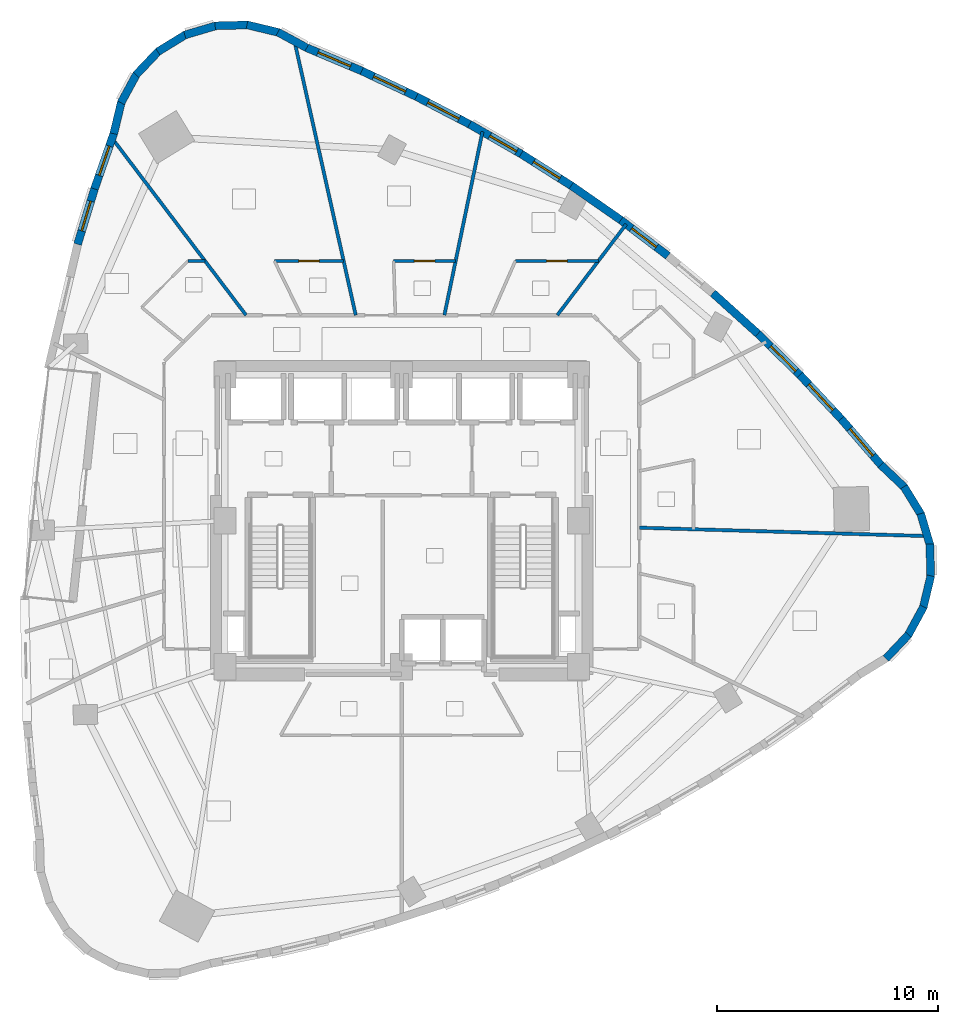
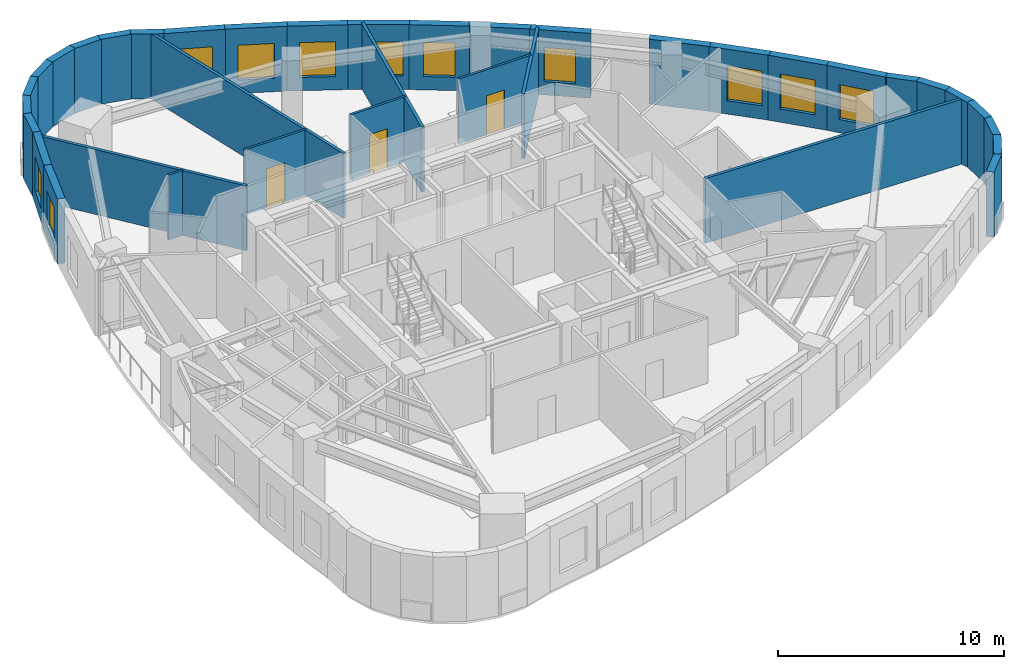
# One storey, part 8 of 12: 37 walls, 11 windows, 3 doors, 14 openings.
"""IFC4 building model written with IfcOpenShell, lengths in metres."""

from ifc_helpers import new_model, si_unit, direction, frame, frame_2d, origin, place, context, subcontext, project, spatial, rectangle, extrude, material, layer, layer_set, type_object, element, fill, save


model = new_model("IFC4")

# Units and contexts
model_context = context("Model", 3, precision=1e-05, world=origin(), true_north=direction((0.0, 1.0)))
body_context = subcontext(model_context, "Body", "Model", "MODEL_VIEW")
ifc_project = project(units=[si_unit("LENGTHUNIT", "METRE"), si_unit("AREAUNIT", "SQUARE_METRE"), si_unit("VOLUMEUNIT", "CUBIC_METRE"), si_unit("PLANEANGLEUNIT", "RADIAN"), si_unit("MASSUNIT", "GRAM", prefix="KILO")], contexts=[model_context])

# Site, building, storey
site_placement = place(None, origin())
site = spatial("IfcSite", under=ifc_project, at=site_placement, CompositionType="ELEMENT")
building_placement = place(site_placement, origin())
building = spatial("IfcBuilding", under=site, at=building_placement, Name="Ndelora Gate Hotel", CompositionType="ELEMENT")
storey_placement = place(building_placement, frame((0.0, 0.0, 101.0)))
storey = spatial("IfcBuildingStorey", under=building, at=storey_placement, Name="L24", CompositionType="ELEMENT", Elevation=101.0)

# Walls
ifc_material_1 = material(Name="Clay Brick Masonry", Category="masonry")
ifc_layer_1 = layer(ifc_material_1, 0.360107421875)
ifc_layer_set_1 = layer_set([ifc_layer_1], Name="Clay Brick Masonry")
wall_type_1 = type_object("IfcWallType", Name="WL-BRICK-360", PredefinedType="SOLIDWALL", material=ifc_layer_set_1)
for number, where, z_axis, x_axis, name in (
    (1, (-5.60009765625, 22.102294921875, 0.0), (0.0, 0.0, 1.0), (0.878835716595, -0.477124494484, 0.0), "L24 Tower Brick Pier-and-Spandrel Wall TWR-1"),
    (2, (-6.99853515625, 22.431396484375, 0.0), (0.0, 0.0, 1.0), (0.972399232605, -0.233323235941, 0.0), "L24 Tower Brick Pier-and-Spandrel Wall TWR-2"),
    (3, (-8.4345703125, 22.38720703125, 0.0), (0.0, 0.0, 1.0), (0.999654374037, 0.026289398397, 0.0), "L24 Tower Brick Pier-and-Spandrel Wall TWR-3"),
    (4, (-9.810302734375, 21.97314453125, 0.0), (0.0, 0.0, 1.0), (0.958851135896, 0.283909315084, 0.0), "L24 Tower Brick Pier-and-Spandrel Wall TWR-4"),
    (5, (-11.03173828125, 21.216796875, 0.0), (0.0, 0.0, 1.0), (0.852554021927, 0.522639110378, 0.0), "L24 Tower Brick Pier-and-Spandrel Wall TWR-5"),
    (6, (-12.01611328125, 20.17041015625, 0.0), (0.0, 0.0, 1.0), (0.688464400899, 0.725270134981, 0.0), "L24 Tower Brick Pier-and-Spandrel Wall TWR-6"),
    (7, (-12.69580078125, 18.90478515625, 0.0), (0.0, 0.0, 1.0), (0.477193395873, 0.878798306174, 0.0), "L24 Tower Brick Pier-and-Spandrel Wall TWR-7"),
):
    element("IfcWall", number, at=place(storey_placement, frame(where, z_axis=z_axis, x_axis=x_axis)), inside=storey, type_object=wall_type_1, Name=name, PredefinedType="SOLIDWALL", context=body_context, shape_type="SweptSolid", body=[
        extrude(rectangle(XDim=1.48583984375, YDim=0.360107421875, at=frame_2d((0.742919921875, 0.0))), origin(), (0.0, 0.0, 1.0), 3.5),
    ])
wall_1_placement = place(storey_placement, frame((-13.02490234375, 17.50634765625, 0.0), z_axis=(0.0, 0.0, 1.0), x_axis=(0.23351590147, 0.972352983109, 0.0)))
element("IfcWall", 8, at=wall_1_placement, inside=storey, type_object=wall_type_1, Name="L24 Tower Brick Pier-and-Spandrel Wall TWR-8", PredefinedType="SOLIDWALL", context=body_context, shape_type="SweptSolid", body=[
    extrude(rectangle(XDim=1.485595703125, YDim=0.360107421875, at=frame_2d((0.74267578125, 0.0))), origin(), (0.0, 0.0, 1.0), 3.5),
])

# Wall, opening, window
wall_2_placement = place(storey_placement, frame((-13.896240234375, 15.012451171875, 0.0), z_axis=(0.0, 0.0, 1.0), x_axis=(0.328988489893, 0.944333931148, 0.0)))
wall_2 = element("IfcWall", 9, at=wall_2_placement, inside=storey, type_object=wall_type_1, Name="L24 Tower Brick Pier-and-Spandrel Wall TWR-9", PredefinedType="SOLIDWALL", context=body_context, shape_type="SweptSolid", body=[
    extrude(rectangle(XDim=2.691650390625, YDim=0.360107421875, at=frame_2d((1.345703125, 0.0))), origin(), (0.0, 0.0, 1.0), 3.5),
])
opening_1_placement = place(wall_2_placement, frame((0.645751953125, 0.0, 0.719970703125)))
opening_1 = element("IfcOpeningElement", 10, at=opening_1_placement, cuts=wall_2, Name="Opening W02", PredefinedType="OPENING", context=body_context, shape_type="SweptSolid", body=[
    extrude(rectangle(XDim=1.39990234375, YDim=1.840087890625, at=frame_2d((0.699951171875, 0.919921875))), frame((0.0, 0.18994140625, 0.0), z_axis=(0.0, -1.0, 0.0), x_axis=(1.0, 0.0, 0.0)), (0.0, 0.0, 1.0), 0.380126953125),
])
ifc_material_2 = material(Name="Insulated Low-E Double Glazing in Bronze Aluminium Frame", Category="aluminium")
window_type_1 = type_object("IfcWindowType", Name="WN-DEEP-1400", PartitioningType="SINGLE_PANEL", PredefinedType="WINDOW", material=ifc_material_2)
window_1_placement = place(opening_1_placement, origin())
window_1 = element("IfcWindow", 11, at=window_1_placement, inside=storey, type_object=window_type_1, Name="L24 Deep-Set Brick-Pier Window W02", OverallHeight=1.840087890625, OverallWidth=1.39990234375, PartitioningType="SINGLE_PANEL", PredefinedType="WINDOW", context=body_context, shape_type="SweptSolid", body=[
    extrude(rectangle(XDim=1.39990234375, YDim=1.840087890625, at=frame_2d((0.699951171875, 0.919921875))), frame((0.0, 0.030029296875, 0.0), z_axis=(0.0, -1.0, 0.0), x_axis=(1.0, 0.0, 0.0)), (0.0, 0.0, 1.0), 0.06005859375),
])
fill(opening_1, window_1)

wall_3_placement = place(storey_placement, frame((-14.659912109375, 12.506591796875, 0.0), z_axis=(0.0, 0.0, 1.0), x_axis=(0.291842096338, 0.956466513164, 0.0)))
wall_3 = element("IfcWall", 12, at=wall_3_placement, inside=storey, type_object=wall_type_1, Name="L24 Tower Brick Pier-and-Spandrel Wall TWR-10", PredefinedType="SOLIDWALL", context=body_context, shape_type="SweptSolid", body=[
    extrude(rectangle(XDim=2.66943359375, YDim=0.360107421875, at=frame_2d((1.334716796875, 0.0))), origin(), (0.0, 0.0, 1.0), 3.5),
])
opening_2_placement = place(wall_3_placement, frame((0.634765625, 0.0, 0.719970703125)))
opening_2 = element("IfcOpeningElement", 13, at=opening_2_placement, cuts=wall_3, Name="Opening W02", PredefinedType="OPENING", context=body_context, shape_type="SweptSolid", body=[
    extrude(rectangle(XDim=1.39990234375, YDim=1.840087890625, at=frame_2d((0.699951171875, 0.919921875))), frame((0.0, 0.18994140625, 0.0), z_axis=(0.0, -1.0, 0.0), x_axis=(1.0, 0.0, 0.0)), (0.0, 0.0, 1.0), 0.380126953125),
])
window_2_placement = place(opening_2_placement, origin())
window_2 = element("IfcWindow", 14, at=window_2_placement, inside=storey, type_object=window_type_1, Name="L24 Deep-Set Brick-Pier Window W02", OverallHeight=1.840087890625, OverallWidth=1.39990234375, PartitioningType="SINGLE_PANEL", PredefinedType="WINDOW", context=body_context, shape_type="SweptSolid", body=[
    extrude(rectangle(XDim=1.39990234375, YDim=1.840087890625, at=frame_2d((0.699951171875, 0.919921875))), frame((0.0, 0.030029296875, 0.0), z_axis=(0.0, -1.0, 0.0), x_axis=(1.0, 0.0, 0.0)), (0.0, 0.0, 1.0), 0.06005859375),
])
fill(opening_2, window_2)

# Walls
wall_4_placement = place(storey_placement, frame((22.925537109375, -5.15478515625, 0.0), z_axis=(0.0, 0.0, 1.0), x_axis=(-0.688464400899, -0.725270134981, 0.0)))
element("IfcWall", 15, at=wall_4_placement, inside=storey, type_object=wall_type_1, Name="L24 Tower Brick Pier-and-Spandrel Wall TWR-40", PredefinedType="SOLIDWALL", context=body_context, shape_type="SweptSolid", body=[
    extrude(rectangle(XDim=1.48583984375, YDim=0.360107421875, at=frame_2d((0.742919921875, 0.0))), origin(), (0.0, 0.0, 1.0), 3.5),
])
for number, where, z_axis, x_axis, name in (
    (16, (23.605224609375, -3.88916015625, 0.0), (0.0, 0.0, 1.0), (-0.477066476677, -0.878867212286, 0.0), "L24 Tower Brick Pier-and-Spandrel Wall TWR-41"),
    (17, (23.934326171875, -2.49072265625, 0.0), (0.0, 0.0, 1.0), (-0.233360521413, -0.972390285352, 0.0), "L24 Tower Brick Pier-and-Spandrel Wall TWR-42"),
):
    element("IfcWall", number, at=place(storey_placement, frame(where, z_axis=z_axis, x_axis=x_axis)), inside=storey, type_object=wall_type_1, Name=name, PredefinedType="SOLIDWALL", context=body_context, shape_type="SweptSolid", body=[
        extrude(rectangle(XDim=1.485595703125, YDim=0.360107421875, at=frame_2d((0.74267578125, 0.0))), origin(), (0.0, 0.0, 1.0), 3.5),
    ])
for number, where, z_axis, x_axis, name in (
    (18, (23.89013671875, -1.0546875, 0.0), (0.0, 0.0, 1.0), (0.026289398397, -0.999654374037, 0.0), "L24 Tower Brick Pier-and-Spandrel Wall TWR-43"),
    (19, (23.47607421875, 0.321044921875, 0.0), (0.0, 0.0, 1.0), (0.283909315084, -0.958851135896, 0.0), "L24 Tower Brick Pier-and-Spandrel Wall TWR-44"),
    (20, (22.719970703125, 1.54248046875, 0.0), (0.0, 0.0, 1.0), (0.522519673624, -0.852627228439, 0.0), "L24 Tower Brick Pier-and-Spandrel Wall TWR-45"),
    (21, (21.67333984375, 2.526611328125, 0.0), (0.0, 0.0, 1.0), (0.725430039612, -0.688295908479, 0.0), "L24 Tower Brick Pier-and-Spandrel Wall TWR-46"),
):
    element("IfcWall", number, at=place(storey_placement, frame(where, z_axis=z_axis, x_axis=x_axis)), inside=storey, type_object=wall_type_1, Name=name, PredefinedType="SOLIDWALL", context=body_context, shape_type="SweptSolid", body=[
        extrude(rectangle(XDim=1.48583984375, YDim=0.360107421875, at=frame_2d((0.742919921875, 0.0))), origin(), (0.0, 0.0, 1.0), 3.5),
    ])

# Wall, opening, window
wall_5_placement = place(storey_placement, frame((19.8759765625, 4.60986328125, 0.0), z_axis=(0.0, 0.0, 1.0), x_axis=(0.653907994708, -0.75657407731, 0.0)))
wall_5 = element("IfcWall", 22, at=wall_5_placement, inside=storey, type_object=wall_type_1, Name="L24 Tower Brick Pier-and-Spandrel Wall TWR-47", PredefinedType="SOLIDWALL", context=body_context, shape_type="SweptSolid", body=[
    extrude(rectangle(XDim=2.80126953125, YDim=0.360107421875, at=frame_2d((1.400634765625, 0.0))), origin(), (0.0, 0.0, 1.0), 3.5),
])
opening_3_placement = place(wall_5_placement, frame((0.6005859375, 0.0, 0.719970703125)))
opening_3 = element("IfcOpeningElement", 23, at=opening_3_placement, cuts=wall_5, Name="Opening W01", PredefinedType="OPENING", context=body_context, shape_type="SweptSolid", body=[
    extrude(rectangle(XDim=1.60009765625, YDim=1.8798828125, at=frame_2d((0.800048828125, 0.93994140625))), frame((0.0, 0.18994140625, 0.0), z_axis=(0.0, -1.0, 0.0), x_axis=(1.0, 0.0, 0.0)), (0.0, 0.0, 1.0), 0.380126953125),
])
window_type_2 = type_object("IfcWindowType", Name="WN-DEEP-1600", PartitioningType="SINGLE_PANEL", PredefinedType="WINDOW", material=ifc_material_2)
window_3_placement = place(opening_3_placement, origin())
window_3 = element("IfcWindow", 24, at=window_3_placement, inside=storey, type_object=window_type_2, Name="L24 Deep-Set Brick-Pier Window W01", OverallHeight=1.8798828125, OverallWidth=1.60009765625, PartitioningType="SINGLE_PANEL", PredefinedType="WINDOW", context=body_context, shape_type="SweptSolid", body=[
    extrude(rectangle(XDim=1.60009765625, YDim=1.8798828125, at=frame_2d((0.800048828125, 0.93994140625))), frame((0.0, 0.030029296875, 0.0), z_axis=(0.0, -1.0, 0.0), x_axis=(1.0, 0.0, 0.0)), (0.0, 0.0, 1.0), 0.06005859375),
])
fill(opening_3, window_3)

wall_6_placement = place(storey_placement, frame((18.00927734375, 6.598388671875, 0.0), z_axis=(0.0, 0.0, 1.0), x_axis=(0.68415455393, -0.729337059484, 0.0)))
wall_6 = element("IfcWall", 25, at=wall_6_placement, inside=storey, type_object=wall_type_1, Name="L24 Tower Brick Pier-and-Spandrel Wall TWR-48", PredefinedType="SOLIDWALL", context=body_context, shape_type="SweptSolid", body=[
    extrude(rectangle(XDim=2.77734375, YDim=0.360107421875, at=frame_2d((1.388671875, 0.0))), origin(), (0.0, 0.0, 1.0), 3.5),
])
opening_4_placement = place(wall_6_placement, frame((0.5888671875, 0.0, 0.719970703125)))
opening_4 = element("IfcOpeningElement", 26, at=opening_4_placement, cuts=wall_6, Name="Opening W01", PredefinedType="OPENING", context=body_context, shape_type="SweptSolid", body=[
    extrude(rectangle(XDim=1.60009765625, YDim=1.8798828125, at=frame_2d((0.800048828125, 0.93994140625))), frame((0.0, 0.18994140625, 0.0), z_axis=(0.0, -1.0, 0.0), x_axis=(1.0, 0.0, 0.0)), (0.0, 0.0, 1.0), 0.380126953125),
])
window_4_placement = place(opening_4_placement, origin())
window_4 = element("IfcWindow", 27, at=window_4_placement, inside=storey, type_object=window_type_2, Name="L24 Deep-Set Brick-Pier Window W01", OverallHeight=1.8798828125, OverallWidth=1.60009765625, PartitioningType="SINGLE_PANEL", PredefinedType="WINDOW", context=body_context, shape_type="SweptSolid", body=[
    extrude(rectangle(XDim=1.60009765625, YDim=1.8798828125, at=frame_2d((0.800048828125, 0.93994140625))), frame((0.0, 0.030029296875, 0.0), z_axis=(0.0, -1.0, 0.0), x_axis=(1.0, 0.0, 0.0)), (0.0, 0.0, 1.0), 0.06005859375),
])
fill(opening_4, window_4)

wall_7_placement = place(storey_placement, frame((16.075439453125, 8.494873046875, 0.0), z_axis=(0.0, 0.0, 1.0), x_axis=(0.713713584755, -0.70043766242, 0.0)))
wall_7 = element("IfcWall", 28, at=wall_7_placement, inside=storey, type_object=wall_type_1, Name="L24 Tower Brick Pier-and-Spandrel Wall TWR-49", PredefinedType="SOLIDWALL", context=body_context, shape_type="SweptSolid", body=[
    extrude(rectangle(XDim=2.758544921875, YDim=0.360107421875, at=frame_2d((1.37939453125, 0.0))), origin(), (0.0, 0.0, 1.0), 3.5),
])
opening_5_placement = place(wall_7_placement, frame((0.860107421875, 0.0, 0.719970703125)))
opening_5 = element("IfcOpeningElement", 29, at=opening_5_placement, cuts=wall_7, Name="Opening W03", PredefinedType="OPENING", context=body_context, shape_type="SweptSolid", body=[
    extrude(rectangle(XDim=1.60009765625, YDim=1.8798828125, at=frame_2d((0.800048828125, 0.93994140625))), frame((0.0, 0.18994140625, 0.0), z_axis=(0.0, -1.0, 0.0), x_axis=(1.0, 0.0, 0.0)), (0.0, 0.0, 1.0), 0.380126953125),
])
window_type_3 = type_object("IfcWindowType", Name="WN-CORN-2100", PartitioningType="SINGLE_PANEL", PredefinedType="WINDOW", material=ifc_material_2)
window_5_placement = place(opening_5_placement, origin())
window_5 = element("IfcWindow", 30, at=window_5_placement, inside=storey, type_object=window_type_3, Name="L24 Deep-Set Brick-Pier Window W03", OverallHeight=1.8798828125, OverallWidth=1.60009765625, PartitioningType="SINGLE_PANEL", PredefinedType="WINDOW", context=body_context, shape_type="SweptSolid", body=[
    extrude(rectangle(XDim=1.60009765625, YDim=1.8798828125, at=frame_2d((0.800048828125, 0.93994140625))), frame((0.0, 0.030029296875, 0.0), z_axis=(0.0, -1.0, 0.0), x_axis=(1.0, 0.0, 0.0)), (0.0, 0.0, 1.0), 0.06005859375),
])
fill(opening_5, window_5)

# Wall
wall_8_placement = place(storey_placement, frame((14.07470703125, 10.299072265625, 0.0), z_axis=(0.0, 0.0, 1.0), x_axis=(0.742346706701, -0.67001594537, 0.0)))
element("IfcWall", 31, at=wall_8_placement, inside=storey, type_object=wall_type_1, Name="L24 Tower Brick Pier-and-Spandrel Wall TWR-50", PredefinedType="SOLIDWALL", context=body_context, shape_type="SweptSolid", body=[
    extrude(rectangle(XDim=2.744140625, YDim=0.360107421875, at=frame_2d((1.3720703125, 0.0))), origin(), (0.0, 0.0, 1.0), 3.5),
])

# Wall, opening, window
wall_9_placement = place(storey_placement, frame((9.87255859375, 13.631103515625, 0.0), z_axis=(0.0, 0.0, 1.0), x_axis=(0.796336225349, -0.604854210696, 0.0)))
wall_9 = element("IfcWall", 32, at=wall_9_placement, inside=storey, type_object=wall_type_1, Name="L24 Tower Brick Pier-and-Spandrel Wall TWR-52", PredefinedType="SOLIDWALL", context=body_context, shape_type="SweptSolid", body=[
    extrude(rectangle(XDim=2.729736328125, YDim=0.360107421875, at=frame_2d((1.36474609375, 0.0))), origin(), (0.0, 0.0, 1.0), 3.5),
])
opening_6_placement = place(wall_9_placement, frame((0.664794921875, 0.0, 0.719970703125)))
opening_6 = element("IfcOpeningElement", 33, at=opening_6_placement, cuts=wall_9, Name="Opening W02", PredefinedType="OPENING", context=body_context, shape_type="SweptSolid", body=[
    extrude(rectangle(XDim=1.39990234375, YDim=1.840087890625, at=frame_2d((0.699951171875, 0.919921875))), frame((0.0, 0.18994140625, 0.0), z_axis=(0.0, -1.0, 0.0), x_axis=(1.0, 0.0, 0.0)), (0.0, 0.0, 1.0), 0.380126953125),
])
window_6_placement = place(opening_6_placement, origin())
window_6 = element("IfcWindow", 34, at=window_6_placement, inside=storey, type_object=window_type_1, Name="L24 Deep-Set Brick-Pier Window W02", OverallHeight=1.840087890625, OverallWidth=1.39990234375, PartitioningType="SINGLE_PANEL", PredefinedType="WINDOW", context=body_context, shape_type="SweptSolid", body=[
    extrude(rectangle(XDim=1.39990234375, YDim=1.840087890625, at=frame_2d((0.699951171875, 0.919921875))), frame((0.0, 0.030029296875, 0.0), z_axis=(0.0, -1.0, 0.0), x_axis=(1.0, 0.0, 0.0)), (0.0, 0.0, 1.0), 0.06005859375),
])
fill(opening_6, window_6)

# Wall
wall_10_placement = place(storey_placement, frame((7.671142578125, 15.15869140625, 0.0), z_axis=(0.0, 0.0, 1.0), x_axis=(0.821331552378, -0.570451120665, 0.0)))
element("IfcWall", 35, at=wall_10_placement, inside=storey, type_object=wall_type_1, Name="L24 Tower Brick Pier-and-Spandrel Wall TWR-53", PredefinedType="SOLIDWALL", context=body_context, shape_type="SweptSolid", body=[
    extrude(rectangle(XDim=2.729736328125, YDim=0.360107421875, at=frame_2d((1.36474609375, 0.0))), origin(), (0.0, 0.0, 1.0), 3.5),
])

# Wall, opening, window
wall_11_placement = place(storey_placement, frame((5.40283203125, 16.59423828125, 0.0), z_axis=(0.0, 0.0, 1.0), x_axis=(0.844802931873, -0.535077570357, 0.0)))
wall_11 = element("IfcWall", 36, at=wall_11_placement, inside=storey, type_object=wall_type_1, Name="L24 Tower Brick Pier-and-Spandrel Wall TWR-54", PredefinedType="SOLIDWALL", context=body_context, shape_type="SweptSolid", body=[
    extrude(rectangle(XDim=2.734375, YDim=0.360107421875, at=frame_2d((1.3671875, 0.0))), origin(), (0.0, 0.0, 1.0), 3.5),
])
opening_7_placement = place(wall_11_placement, frame((0.667236328125, 0.0, 0.719970703125)))
opening_7 = element("IfcOpeningElement", 37, at=opening_7_placement, cuts=wall_11, Name="Opening W02", PredefinedType="OPENING", context=body_context, shape_type="SweptSolid", body=[
    extrude(rectangle(XDim=1.39990234375, YDim=1.840087890625, at=frame_2d((0.699951171875, 0.919921875))), frame((0.0, 0.18994140625, 0.0), z_axis=(0.0, -1.0, 0.0), x_axis=(1.0, 0.0, 0.0)), (0.0, 0.0, 1.0), 0.380126953125),
])
window_7_placement = place(opening_7_placement, origin())
window_7 = element("IfcWindow", 38, at=window_7_placement, inside=storey, type_object=window_type_1, Name="L24 Deep-Set Brick-Pier Window W02", OverallHeight=1.840087890625, OverallWidth=1.39990234375, PartitioningType="SINGLE_PANEL", PredefinedType="WINDOW", context=body_context, shape_type="SweptSolid", body=[
    extrude(rectangle(XDim=1.39990234375, YDim=1.840087890625, at=frame_2d((0.699951171875, 0.919921875))), frame((0.0, 0.030029296875, 0.0), z_axis=(0.0, -1.0, 0.0), x_axis=(1.0, 0.0, 0.0)), (0.0, 0.0, 1.0), 0.06005859375),
])
fill(opening_7, window_7)

wall_12_placement = place(storey_placement, frame((3.067626953125, 17.937744140625, 0.0), z_axis=(0.0, 0.0, 1.0), x_axis=(0.866601472799, -0.499000889121, 0.0)))
wall_12 = element("IfcWall", 39, at=wall_12_placement, inside=storey, type_object=wall_type_1, Name="L24 Tower Brick Pier-and-Spandrel Wall TWR-55", PredefinedType="SOLIDWALL", context=body_context, shape_type="SweptSolid", body=[
    extrude(rectangle(XDim=2.744140625, YDim=0.360107421875, at=frame_2d((1.3720703125, 0.0))), origin(), (0.0, 0.0, 1.0), 3.5),
])
opening_8_placement = place(wall_12_placement, frame((1.06005859375, 0.0, 0.719970703125)))
opening_8 = element("IfcOpeningElement", 40, at=opening_8_placement, cuts=wall_12, Name="Opening W02", PredefinedType="OPENING", context=body_context, shape_type="SweptSolid", body=[
    extrude(rectangle(XDim=1.39990234375, YDim=1.840087890625, at=frame_2d((0.699951171875, 0.919921875))), frame((0.0, 0.18994140625, 0.0), z_axis=(0.0, -1.0, 0.0), x_axis=(1.0, 0.0, 0.0)), (0.0, 0.0, 1.0), 0.380126953125),
])
window_8_placement = place(opening_8_placement, origin())
window_8 = element("IfcWindow", 41, at=window_8_placement, inside=storey, type_object=window_type_1, Name="L24 Deep-Set Brick-Pier Window W02", OverallHeight=1.840087890625, OverallWidth=1.39990234375, PartitioningType="SINGLE_PANEL", PredefinedType="WINDOW", context=body_context, shape_type="SweptSolid", body=[
    extrude(rectangle(XDim=1.39990234375, YDim=1.840087890625, at=frame_2d((0.699951171875, 0.919921875))), frame((0.0, 0.030029296875, 0.0), z_axis=(0.0, -1.0, 0.0), x_axis=(1.0, 0.0, 0.0)), (0.0, 0.0, 1.0), 0.06005859375),
])
fill(opening_8, window_8)

wall_13_placement = place(storey_placement, frame((0.66552734375, 19.18896484375, 0.0), z_axis=(0.0, 0.0, 1.0), x_axis=(0.886704748188, -0.462336121822, 0.0)))
wall_13 = element("IfcWall", 42, at=wall_13_placement, inside=storey, type_object=wall_type_1, Name="L24 Tower Brick Pier-and-Spandrel Wall TWR-56", PredefinedType="SOLIDWALL", context=body_context, shape_type="SweptSolid", body=[
    extrude(rectangle(XDim=2.758544921875, YDim=0.360107421875, at=frame_2d((1.37939453125, 0.0))), origin(), (0.0, 0.0, 1.0), 3.5),
])
opening_9_placement = place(wall_13_placement, frame((0.5791015625, 0.0, 0.719970703125)))
opening_9 = element("IfcOpeningElement", 43, at=opening_9_placement, cuts=wall_13, Name="Opening W01", PredefinedType="OPENING", context=body_context, shape_type="SweptSolid", body=[
    extrude(rectangle(XDim=1.60009765625, YDim=1.8798828125, at=frame_2d((0.800048828125, 0.93994140625))), frame((0.0, 0.18994140625, 0.0), z_axis=(0.0, -1.0, 0.0), x_axis=(1.0, 0.0, 0.0)), (0.0, 0.0, 1.0), 0.380126953125),
])
window_9_placement = place(opening_9_placement, origin())
window_9 = element("IfcWindow", 44, at=window_9_placement, inside=storey, type_object=window_type_2, Name="L24 Deep-Set Brick-Pier Window W01", OverallHeight=1.8798828125, OverallWidth=1.60009765625, PartitioningType="SINGLE_PANEL", PredefinedType="WINDOW", context=body_context, shape_type="SweptSolid", body=[
    extrude(rectangle(XDim=1.60009765625, YDim=1.8798828125, at=frame_2d((0.800048828125, 0.93994140625))), frame((0.0, 0.030029296875, 0.0), z_axis=(0.0, -1.0, 0.0), x_axis=(1.0, 0.0, 0.0)), (0.0, 0.0, 1.0), 0.06005859375),
])
fill(opening_9, window_9)

wall_14_placement = place(storey_placement, frame((-1.803466796875, 20.347900390625, 0.0), z_axis=(0.0, 0.0, 1.0), x_axis=(0.905061598697, -0.425280498688, 0.0)))
wall_14 = element("IfcWall", 45, at=wall_14_placement, inside=storey, type_object=wall_type_1, Name="L24 Tower Brick Pier-and-Spandrel Wall TWR-57", PredefinedType="SOLIDWALL", context=body_context, shape_type="SweptSolid", body=[
    extrude(rectangle(XDim=2.77734375, YDim=0.360107421875, at=frame_2d((1.388671875, 0.0))), origin(), (0.0, 0.0, 1.0), 3.5),
])
opening_10_placement = place(wall_14_placement, frame((0.588623046875, 0.0, 0.719970703125)))
opening_10 = element("IfcOpeningElement", 46, at=opening_10_placement, cuts=wall_14, Name="Opening W03", PredefinedType="OPENING", context=body_context, shape_type="SweptSolid", body=[
    extrude(rectangle(XDim=1.60009765625, YDim=1.8798828125, at=frame_2d((0.800048828125, 0.93994140625))), frame((0.0, 0.18994140625, 0.0), z_axis=(0.0, -1.0, 0.0), x_axis=(1.0, 0.0, 0.0)), (0.0, 0.0, 1.0), 0.380126953125),
])
window_10_placement = place(opening_10_placement, origin())
window_10 = element("IfcWindow", 47, at=window_10_placement, inside=storey, type_object=window_type_3, Name="L24 Deep-Set Brick-Pier Window W03", OverallHeight=1.8798828125, OverallWidth=1.60009765625, PartitioningType="SINGLE_PANEL", PredefinedType="WINDOW", context=body_context, shape_type="SweptSolid", body=[
    extrude(rectangle(XDim=1.60009765625, YDim=1.8798828125, at=frame_2d((0.800048828125, 0.93994140625))), frame((0.0, 0.030029296875, 0.0), z_axis=(0.0, -1.0, 0.0), x_axis=(1.0, 0.0, 0.0)), (0.0, 0.0, 1.0), 0.06005859375),
])
fill(opening_10, window_10)

wall_15_placement = place(storey_placement, frame((-4.33935546875, 21.4150390625, 0.0), z_axis=(0.0, 0.0, 1.0), x_axis=(0.921579586259, -0.388189472025, 0.0)))
wall_15 = element("IfcWall", 48, at=wall_15_placement, inside=storey, type_object=wall_type_1, Name="L24 Tower Brick Pier-and-Spandrel Wall TWR-58", PredefinedType="SOLIDWALL", context=body_context, shape_type="SweptSolid", body=[
    extrude(rectangle(XDim=2.80126953125, YDim=0.360107421875, at=frame_2d((1.400634765625, 0.0))), origin(), (0.0, 0.0, 1.0), 3.5),
])
opening_11_placement = place(wall_15_placement, frame((0.6005859375, 0.0, 0.719970703125)))
opening_11 = element("IfcOpeningElement", 49, at=opening_11_placement, cuts=wall_15, Name="Opening W01", PredefinedType="OPENING", context=body_context, shape_type="SweptSolid", body=[
    extrude(rectangle(XDim=1.60009765625, YDim=1.8798828125, at=frame_2d((0.800048828125, 0.93994140625))), frame((0.0, 0.18994140625, 0.0), z_axis=(0.0, -1.0, 0.0), x_axis=(1.0, 0.0, 0.0)), (0.0, 0.0, 1.0), 0.380126953125),
])
window_11_placement = place(opening_11_placement, origin())
window_11 = element("IfcWindow", 50, at=window_11_placement, inside=storey, type_object=window_type_2, Name="L24 Deep-Set Brick-Pier Window W01", OverallHeight=1.8798828125, OverallWidth=1.60009765625, PartitioningType="SINGLE_PANEL", PredefinedType="WINDOW", context=body_context, shape_type="SweptSolid", body=[
    extrude(rectangle(XDim=1.60009765625, YDim=1.8798828125, at=frame_2d((0.800048828125, 0.93994140625))), frame((0.0, 0.030029296875, 0.0), z_axis=(0.0, -1.0, 0.0), x_axis=(1.0, 0.0, 0.0)), (0.0, 0.0, 1.0), 0.06005859375),
])
fill(opening_11, window_11)

# Walls
ifc_material_3 = material(Name="Fire-Rated Gypsum Stud Partition", Category="gypsum")
ifc_layer_2 = layer(ifc_material_3, 0.14990234375)
ifc_layer_set_2 = layer_set([ifc_layer_2], Name="Fire-Rated Gypsum Stud Partition")
wall_type_2 = type_object("IfcWallType", Name="WL-PART-150", PredefinedType="PARTITIONING", material=ifc_layer_set_2)
wall_16_placement = place(storey_placement, frame((10.75, -0.3134765625, 0.0), z_axis=(0.0, 0.0, 1.0), x_axis=(0.999575058165, -0.029149667157, 0.0)))
element("IfcWall", 51, at=wall_16_placement, inside=storey, type_object=wall_type_2, Name="L24 Interior Wall IW-5", PredefinedType="PARTITIONING", context=body_context, shape_type="SweptSolid", body=[
    extrude(rectangle(XDim=13.0322265625, YDim=0.14990234375, at=frame_2d((6.51611328125, 0.0))), origin(), (0.0, 0.0, 1.0), 3.5),
])
wall_17_placement = place(storey_placement, frame((7.040283203125, 9.300048828125, 0.0), z_axis=(0.0, 0.0, 1.0), x_axis=(0.603580834167, 0.797301810249, 0.0)))
element("IfcWall", 52, at=wall_17_placement, inside=storey, type_object=wall_type_2, Name="L24 Interior Wall IW-5", PredefinedType="PARTITIONING", context=body_context, shape_type="SweptSolid", body=[
    extrude(rectangle(XDim=5.162109375, YDim=0.14990234375, at=frame_2d((2.5810546875, 0.0))), origin(), (0.0, 0.0, 1.0), 3.5),
])
wall_18_placement = place(storey_placement, frame((1.93115234375, 9.300048828125, 0.0), z_axis=(0.0, 0.0, 1.0), x_axis=(0.203305542184, 0.979115343827, 0.0)))
element("IfcWall", 53, at=wall_18_placement, inside=storey, type_object=wall_type_2, Name="L24 Interior Wall IW-5", PredefinedType="PARTITIONING", context=body_context, shape_type="SweptSolid", body=[
    extrude(rectangle(XDim=8.476806640625, YDim=0.14990234375, at=frame_2d((4.23828125, 0.0))), origin(), (0.0, 0.0, 1.0), 3.5),
])
wall_19_placement = place(storey_placement, frame((-2.07861328125, 9.300048828125, 0.0), z_axis=(0.0, 0.0, 1.0), x_axis=(-0.218143379007, 0.975916731179, 0.0)))
element("IfcWall", 54, at=wall_19_placement, inside=storey, type_object=wall_type_2, Name="L24 Interior Wall IW-5", PredefinedType="PARTITIONING", context=body_context, shape_type="SweptSolid", body=[
    extrude(rectangle(XDim=12.700439453125, YDim=0.14990234375, at=frame_2d((6.35009765625, 0.0))), origin(), (0.0, 0.0, 1.0), 3.5),
])
wall_20_placement = place(storey_placement, frame((-7.040283203125, 9.300048828125, 0.0), z_axis=(0.0, 0.0, 1.0), x_axis=(-0.60357057416, 0.797309577271, 0.0)))
element("IfcWall", 55, at=wall_20_placement, inside=storey, type_object=wall_type_2, Name="L24 Interior Wall IW-5", PredefinedType="PARTITIONING", context=body_context, shape_type="SweptSolid", body=[
    extrude(rectangle(XDim=10.037109375, YDim=0.14990234375, at=frame_2d((5.0185546875, 0.0))), origin(), (0.0, 0.0, 1.0), 3.5),
])

# Wall, opening, door
ifc_material_4 = material(Name="Moisture-Resistant Bathroom Tile Partition", Category="gypsum")
ifc_layer_3 = layer(ifc_material_4, 0.1201171875)
ifc_layer_set_3 = layer_set([ifc_layer_3], Name="Moisture-Resistant Bathroom Tile Partition")
wall_type_3 = type_object("IfcWallType", Name="WL-WET-120", PredefinedType="PARTITIONING", material=ifc_layer_set_3)
wall_21_placement = place(storey_placement, frame((5.139892578125, 11.75, 0.0), z_axis=(0.0, 0.0, 1.0), x_axis=(1.0, 0.0, 0.0)))
wall_21 = element("IfcWall", 56, at=wall_21_placement, inside=storey, type_object=wall_type_3, Name="L24 Interior Wall IW-7", PredefinedType="PARTITIONING", context=body_context, shape_type="SweptSolid", body=[
    extrude(rectangle(XDim=3.755126953125, YDim=0.1201171875, at=frame_2d((1.87744140625, 0.0))), origin(), (0.0, 0.0, 1.0), 3.5),
])
opening_12_placement = place(wall_21_placement, frame((1.41748046875, 0.0, 0.0)))
opening_12 = element("IfcOpeningElement", 57, at=opening_12_placement, cuts=wall_21, Name="Opening D03", PredefinedType="OPENING", context=body_context, shape_type="SweptSolid", body=[
    extrude(rectangle(XDim=0.919921875, YDim=2.10009765625, at=frame_2d((0.4599609375, 1.050048828125))), frame((0.0, 0.070068359375, 0.0), z_axis=(0.0, -1.0, 0.0), x_axis=(1.0, 0.0, 0.0)), (0.0, 0.0, 1.0), 0.14013671875),
])
ifc_material_5 = material(Name="Moisture-Resistant Hardwood En-Suite Door", Category="wood")
door_type = type_object("IfcDoorType", Name="DR-BATH-920", OperationType="SINGLE_SWING_LEFT", PredefinedType="DOOR", material=ifc_material_5)
door_1_placement = place(opening_12_placement, origin())
door_1 = element("IfcDoor", 58, at=door_1_placement, inside=storey, type_object=door_type, Name="L24 En-suite Bathroom 2706 Door", OperationType="SINGLE_SWING_LEFT", OverallHeight=2.10009765625, OverallWidth=0.919921875, PredefinedType="DOOR", context=body_context, shape_type="SweptSolid", body=[
    extrude(rectangle(XDim=0.919921875, YDim=2.10009765625, at=frame_2d((0.4599609375, 1.050048828125))), frame((0.0, 0.02490234375, 0.0), z_axis=(0.0, -1.0, 0.0), x_axis=(1.0, 0.0, 0.0)), (0.0, 0.0, 1.0), 0.050048828125),
])
fill(opening_12, door_1)

wall_22_placement = place(storey_placement, frame((-0.363037109375, 11.75, 0.0), z_axis=(0.0, 0.0, 1.0), x_axis=(1.0, 0.0, 0.0)))
wall_22 = element("IfcWall", 59, at=wall_22_placement, inside=storey, type_object=wall_type_3, Name="L24 Interior Wall IW-7", PredefinedType="PARTITIONING", context=body_context, shape_type="SweptSolid", body=[
    extrude(rectangle(XDim=2.802734375, YDim=0.1201171875, at=frame_2d((1.4013671875, 0.0))), origin(), (0.0, 0.0, 1.0), 3.5),
])
opening_13_placement = place(wall_22_placement, frame((0.94140625, 0.0, 0.0)))
opening_13 = element("IfcOpeningElement", 60, at=opening_13_placement, cuts=wall_22, Name="Opening D03", PredefinedType="OPENING", context=body_context, shape_type="SweptSolid", body=[
    extrude(rectangle(XDim=0.919921875, YDim=2.10009765625, at=frame_2d((0.4599609375, 1.050048828125))), frame((0.0, 0.070068359375, 0.0), z_axis=(0.0, -1.0, 0.0), x_axis=(1.0, 0.0, 0.0)), (0.0, 0.0, 1.0), 0.14013671875),
])
door_2_placement = place(opening_13_placement, origin())
door_2 = element("IfcDoor", 61, at=door_2_placement, inside=storey, type_object=door_type, Name="L24 En-suite Bathroom 2707 Door", OperationType="SINGLE_SWING_RIGHT", OverallHeight=2.10009765625, OverallWidth=0.919921875, PredefinedType="DOOR", context=body_context, shape_type="SweptSolid", body=[
    extrude(rectangle(XDim=0.919921875, YDim=2.10009765625, at=frame_2d((0.4599609375, 1.050048828125))), frame((0.0, 0.02490234375, 0.0), z_axis=(0.0, -1.0, 0.0), x_axis=(1.0, 0.0, 0.0)), (0.0, 0.0, 1.0), 0.050048828125),
])
fill(opening_13, door_2)

wall_23_placement = place(storey_placement, frame((-5.756103515625, 11.75, 0.0), z_axis=(0.0, 0.0, 1.0), x_axis=(1.0, 0.0, 0.0)))
wall_23 = element("IfcWall", 62, at=wall_23_placement, inside=storey, type_object=wall_type_3, Name="L24 Interior Wall IW-7", PredefinedType="PARTITIONING", context=body_context, shape_type="SweptSolid", body=[
    extrude(rectangle(XDim=3.1298828125, YDim=0.1201171875, at=frame_2d((1.56494140625, 0.0))), origin(), (0.0, 0.0, 1.0), 3.5),
])
opening_14_placement = place(wall_23_placement, frame((1.10498046875, 0.0, 0.0)))
opening_14 = element("IfcOpeningElement", 63, at=opening_14_placement, cuts=wall_23, Name="Opening D03", PredefinedType="OPENING", context=body_context, shape_type="SweptSolid", body=[
    extrude(rectangle(XDim=0.919921875, YDim=2.10009765625, at=frame_2d((0.4599609375, 1.050048828125))), frame((0.0, 0.070068359375, 0.0), z_axis=(0.0, -1.0, 0.0), x_axis=(1.0, 0.0, 0.0)), (0.0, 0.0, 1.0), 0.14013671875),
])
door_3_placement = place(opening_14_placement, origin())
door_3 = element("IfcDoor", 64, at=door_3_placement, inside=storey, type_object=door_type, Name="L24 En-suite Bathroom 2708 Door", OperationType="SINGLE_SWING_LEFT", OverallHeight=2.10009765625, OverallWidth=0.919921875, PredefinedType="DOOR", context=body_context, shape_type="SweptSolid", body=[
    extrude(rectangle(XDim=0.919921875, YDim=2.10009765625, at=frame_2d((0.4599609375, 1.050048828125))), frame((0.0, 0.02490234375, 0.0), z_axis=(0.0, -1.0, 0.0), x_axis=(1.0, 0.0, 0.0)), (0.0, 0.0, 1.0), 0.050048828125),
])
fill(opening_14, door_3)

# Wall
wall_24_placement = place(storey_placement, frame((-8.89501953125, 11.75, 0.0), z_axis=(0.0, 0.0, 1.0), x_axis=(-1.0, 0.0, 0.0)))
element("IfcWall", 65, at=wall_24_placement, inside=storey, type_object=wall_type_3, Name="L24 Interior Wall IW-7", PredefinedType="PARTITIONING", context=body_context, shape_type="SweptSolid", body=[
    extrude(rectangle(XDim=0.769775390625, YDim=0.1201171875, at=frame_2d((0.384765625, 0.0))), origin(), (0.0, 0.0, 1.0), 3.5),
])

save(model, "model.ifc")
